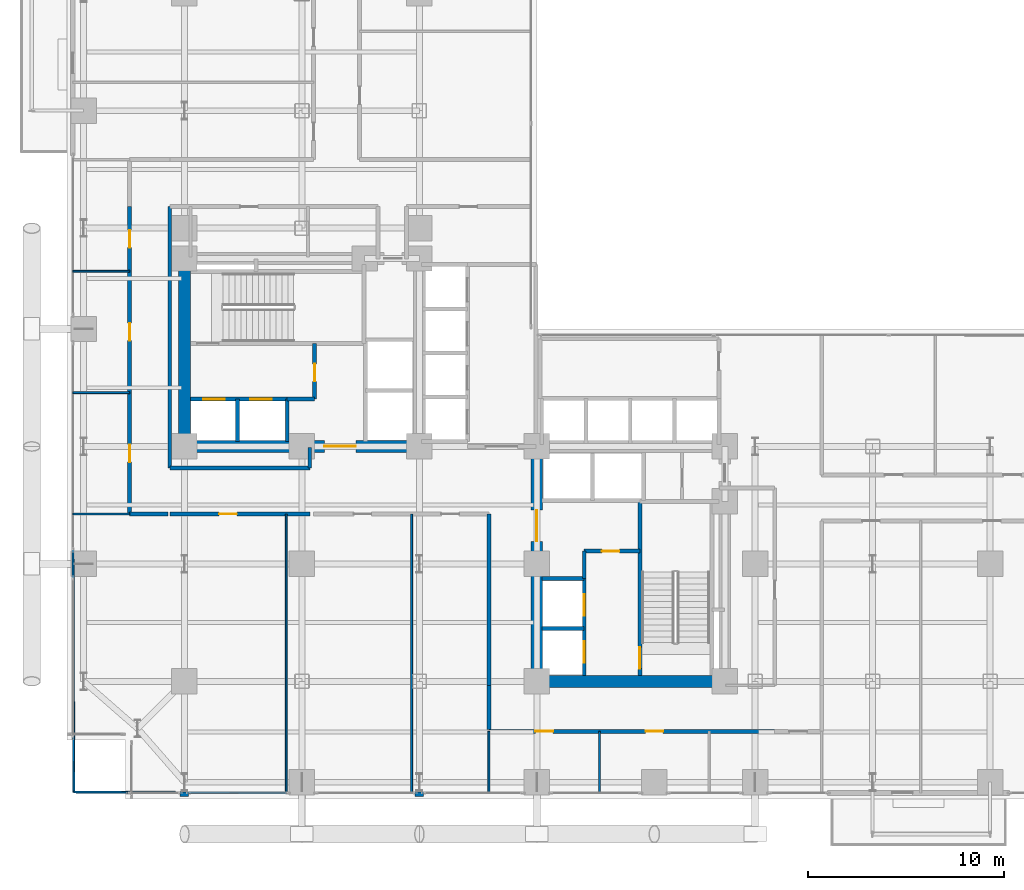
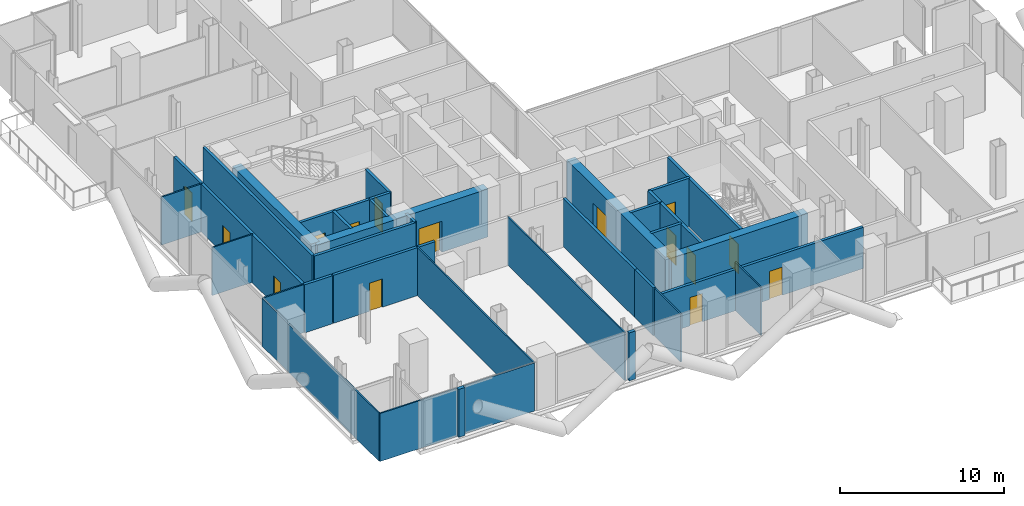
# One storey, part 21 of 27: 36 walls, 15 doors, 15 openings.
"""IFC4 building model written with IfcOpenShell, lengths in metres."""

from ifc_helpers import new_model, si_unit, direction, frame, frame_2d, origin, place, context, subcontext, project, spatial, rectangle, extrude, material, layer, layer_set, type_object, element, fill, save


model = new_model("IFC4")

# Units and contexts
model_context = context("Model", 3, precision=1e-05, world=origin(), true_north=direction((0.0, 1.0)))
body_context = subcontext(model_context, "Body", "Model", "MODEL_VIEW")
ifc_project = project(units=[si_unit("LENGTHUNIT", "METRE"), si_unit("AREAUNIT", "SQUARE_METRE"), si_unit("VOLUMEUNIT", "CUBIC_METRE"), si_unit("PLANEANGLEUNIT", "RADIAN"), si_unit("MASSUNIT", "GRAM", prefix="KILO"), si_unit("THERMODYNAMICTEMPERATUREUNIT", "KELVIN"), si_unit("POWERUNIT", "WATT")], contexts=[model_context])

# Site, building, storey
site_placement = place(None, origin())
site = spatial("IfcSite", under=ifc_project, at=site_placement, CompositionType="ELEMENT")
building_placement = place(site_placement, origin())
building = spatial("IfcBuilding", under=site, at=building_placement, Name="Svarakhadi Broadcast Tower", CompositionType="ELEMENT")
storey_placement = place(building_placement, frame((0.0, 0.0, 90.89990234375)))
storey = spatial("IfcBuildingStorey", under=building, at=storey_placement, Name="L21", CompositionType="ELEMENT", Elevation=90.89990234375)

# Walls
ifc_material_1 = material(Name="Concrete C40/50 (IS 456 M50)", Category="concrete")
ifc_layer_1 = layer(ifc_material_1, 0.239990234375)
ifc_layer_set_1 = layer_set([ifc_layer_1], Name="Concrete C40/50 (IS 456 M50)")
wall_type_1 = type_object("IfcWallType", Name="Wall_Ext_240", PredefinedType="SOLIDWALL", material=ifc_layer_set_1)
for number, where, z_axis, x_axis, name in (
    (1, (18.215087890625, 0.239990234375, 0.0), (0.0, 0.0, 1.0), (-1.0, 0.0, 0.0), "L21 Perimeter Bronze Spandrel Closure Wall 05"),
    (2, (6.215087890625, 0.239990234375, 0.0), (0.0, 0.0, 1.0), (-1.0, 0.0, 0.0), "L21 Perimeter Bronze Spandrel Closure Wall 06"),
):
    element("IfcWall", number, at=place(storey_placement, frame(where, z_axis=z_axis, x_axis=x_axis)), inside=storey, type_object=wall_type_1, Name=name, PredefinedType="SOLIDWALL", context=body_context, shape_type="SweptSolid", body=[
        extrude(rectangle(XDim=0.43017578125, YDim=0.239990234375, at=frame_2d((0.215087890625, 0.0))), origin(), (0.0, 0.0, 1.0), 3.5751953125),
    ])

# Wall, openings, doors
ifc_layer_2 = layer(ifc_material_1, 0.199951171875)
ifc_layer_set_2 = layer_set([ifc_layer_2], Name="Concrete C40/50 (IS 456 M50)")
wall_type_2 = type_object("IfcWallType", Name="Wall_Fire_200", PredefinedType="SOLIDWALL", material=ifc_layer_set_2)
wall_1_placement = place(storey_placement, frame((36.14990234375, 3.449951171875, 0.0), z_axis=(0.0, 0.0, 1.0), x_axis=(-1.0, 0.0, 0.0)))
wall_1 = element("IfcWall", 3, at=wall_1_placement, inside=storey, type_object=wall_type_2, Name="L21 Broadcast Corridor Wall", PredefinedType="SOLIDWALL", context=body_context, shape_type="SweptSolid", body=[
    extrude(rectangle(XDim=14.599853515625, YDim=0.199951171875, at=frame_2d((7.2998046875, 0.0))), origin(), (0.0, 0.0, 1.0), 3.067138671875),
])
opening_1_placement = place(wall_1_placement, frame((11.324951171875, 0.0, 0.0)))
opening_1 = element("IfcOpeningElement", 4, at=opening_1_placement, cuts=wall_1, Name="Opening D-14", PredefinedType="OPENING", context=body_context, shape_type="SweptSolid", body=[
    extrude(rectangle(XDim=0.89990234375, YDim=2.10009765625, at=frame_2d((0.449951171875, 1.050048828125))), frame((0.0, 0.10986328125, 0.0), z_axis=(0.0, -1.0, 0.0), x_axis=(1.0, 0.0, 0.0)), (0.0, 0.0, 1.0), 0.219970703125),
])
opening_2_placement = place(wall_1_placement, frame((5.699951171875, 0.0, 0.0)))
opening_2 = element("IfcOpeningElement", 5, at=opening_2_placement, cuts=wall_1, Name="Opening D-15", PredefinedType="OPENING", context=body_context, shape_type="SweptSolid", body=[
    extrude(rectangle(XDim=0.89990234375, YDim=2.10009765625, at=frame_2d((0.449951171875, 1.050048828125))), frame((0.0, 0.10986328125, 0.0), z_axis=(0.0, -1.0, 0.0), x_axis=(1.0, 0.0, 0.0)), (0.0, 0.0, 1.0), 0.219970703125),
])
ifc_material_2 = material(Name="Solid-Core Teak Veneer Acoustic Timber Leaf", Category="wood")
door_type_1 = type_object("IfcDoorType", Name="Door_Int_D14", OperationType="SINGLE_SWING_LEFT", PredefinedType="DOOR", material=ifc_material_2)
door_1_placement = place(opening_1_placement, origin())
door_1 = element("IfcDoor", 6, at=door_1_placement, inside=storey, type_object=door_type_1, Name="L21 South Harbour Editorial Desk Door", OperationType="SINGLE_SWING_LEFT", OverallHeight=2.10009765625, OverallWidth=0.89990234375, PredefinedType="DOOR", context=body_context, shape_type="SweptSolid", body=[
    extrude(rectangle(XDim=0.89990234375, YDim=2.10009765625, at=frame_2d((0.449951171875, 1.050048828125))), frame((0.0, 0.02490234375, 0.0), z_axis=(0.0, -1.0, 0.0), x_axis=(1.0, 0.0, 0.0)), (0.0, 0.0, 1.0), 0.050048828125),
])
fill(opening_1, door_1)
door_type_2 = type_object("IfcDoorType", Name="Door_Int_D15", OperationType="SINGLE_SWING_RIGHT", PredefinedType="DOOR", material=ifc_material_2)
door_2_placement = place(opening_2_placement, origin())
door_2 = element("IfcDoor", 7, at=door_2_placement, inside=storey, type_object=door_type_2, Name="L21 Media Legal Review Office Door", OperationType="SINGLE_SWING_RIGHT", OverallHeight=2.10009765625, OverallWidth=0.89990234375, PredefinedType="DOOR", context=body_context, shape_type="SweptSolid", body=[
    extrude(rectangle(XDim=0.89990234375, YDim=2.10009765625, at=frame_2d((0.449951171875, 1.050048828125))), frame((0.0, 0.02490234375, 0.0), z_axis=(0.0, -1.0, 0.0), x_axis=(1.0, 0.0, 0.0)), (0.0, 0.0, 1.0), 0.050048828125),
])
fill(opening_2, door_2)

# Walls
wall_2_placement = place(storey_placement, frame((21.550048828125, 3.550048828125, 0.0), z_axis=(0.0, 0.0, 1.0), x_axis=(0.0, 1.0, 0.0)))
element("IfcWall", 8, at=wall_2_placement, inside=storey, type_object=wall_type_2, Name="L21 Broadcast Corridor Wall", PredefinedType="SOLIDWALL", context=body_context, shape_type="SweptSolid", body=[
    extrude(rectangle(XDim=2.25, YDim=0.199951171875, at=frame_2d((1.125, 0.0))), origin(), (0.0, 0.0, 1.0), 3.5751953125),
])
wall_3_placement = place(storey_placement, frame((21.550048828125, 5.800048828125, 0.0), z_axis=(0.0, 0.0, 1.0), x_axis=(0.0, 1.0, 0.0)))
element("IfcWall", 9, at=wall_3_placement, inside=storey, type_object=wall_type_2, Name="L21 Broadcast Corridor Wall", PredefinedType="SOLIDWALL", context=body_context, shape_type="SweptSolid", body=[
    extrude(rectangle(XDim=8.75, YDim=0.199951171875, at=frame_2d((4.375, 0.0))), origin(), (0.0, 0.0, 1.0), 3.5751953125),
])

# Wall, opening, door
wall_4_placement = place(storey_placement, frame((12.39990234375, 14.550048828125, 0.0), z_axis=(0.0, 0.0, 1.0), x_axis=(-1.0, 0.0, 0.0)))
wall_4 = element("IfcWall", 10, at=wall_4_placement, inside=storey, type_object=wall_type_2, Name="L21 Broadcast Corridor Wall", PredefinedType="SOLIDWALL", context=body_context, shape_type="SweptSolid", body=[
    extrude(rectangle(XDim=7.14990234375, YDim=0.199951171875, at=frame_2d((3.574951171875, 0.0))), origin(), (0.0, 0.0, 1.0), 3.5751953125),
])
opening_3_placement = place(wall_4_placement, frame((3.72509765625, 0.0, 0.0)))
opening_3 = element("IfcOpeningElement", 11, at=opening_3_placement, cuts=wall_4, Name="Opening D-14", PredefinedType="OPENING", context=body_context, shape_type="SweptSolid", body=[
    extrude(rectangle(XDim=0.89990234375, YDim=2.10009765625, at=frame_2d((0.449951171875, 1.050048828125))), frame((0.0, 0.10986328125, 0.0), z_axis=(0.0, -1.0, 0.0), x_axis=(1.0, 0.0, 0.0)), (0.0, 0.0, 1.0), 0.219970703125),
])
door_3_placement = place(opening_3_placement, origin())
door_3 = element("IfcDoor", 12, at=door_3_placement, inside=storey, type_object=door_type_1, Name="L21 Network Director Corner Chambers Door", OperationType="SINGLE_SWING_LEFT", OverallHeight=2.10009765625, OverallWidth=0.89990234375, PredefinedType="DOOR", context=body_context, shape_type="SweptSolid", body=[
    extrude(rectangle(XDim=0.89990234375, YDim=2.10009765625, at=frame_2d((0.449951171875, 1.050048828125))), frame((0.0, 0.02490234375, 0.0), z_axis=(0.0, -1.0, 0.0), x_axis=(1.0, 0.0, 0.0)), (0.0, 0.0, 1.0), 0.050048828125),
])
fill(opening_3, door_3)

# Wall
wall_5_placement = place(storey_placement, frame((5.14990234375, 14.550048828125, 0.0), z_axis=(0.0, 0.0, 1.0), x_axis=(-1.0, 0.0, 0.0)))
element("IfcWall", 13, at=wall_5_placement, inside=storey, type_object=wall_type_2, Name="L21 Broadcast Corridor Wall", PredefinedType="SOLIDWALL", context=body_context, shape_type="SweptSolid", body=[
    extrude(rectangle(XDim=1.949951171875, YDim=0.199951171875, at=frame_2d((0.97509765625, 0.0))), origin(), (0.0, 0.0, 1.0), 3.5751953125),
])

# Wall, openings, doors
wall_6_placement = place(storey_placement, frame((3.199951171875, 14.550048828125, 0.0), z_axis=(0.0, 0.0, 1.0), x_axis=(0.0, 1.0, 0.0)))
wall_6 = element("IfcWall", 14, at=wall_6_placement, inside=storey, type_object=wall_type_2, Name="L21 Broadcast Corridor Wall", PredefinedType="SOLIDWALL", context=body_context, shape_type="SweptSolid", body=[
    extrude(rectangle(XDim=15.699951171875, YDim=0.199951171875, at=frame_2d((7.85009765625, 0.0))), origin(), (0.0, 0.0, 1.0), 3.5751953125),
])
opening_4_placement = place(wall_6_placement, frame((2.64990234375, 0.0, 0.0)))
opening_4 = element("IfcOpeningElement", 15, at=opening_4_placement, cuts=wall_6, Name="Opening D-15", PredefinedType="OPENING", context=body_context, shape_type="SweptSolid", body=[
    extrude(rectangle(XDim=0.89990234375, YDim=2.10009765625, at=frame_2d((0.449951171875, 1.050048828125))), frame((0.0, 0.10986328125, 0.0), z_axis=(0.0, -1.0, 0.0), x_axis=(1.0, 0.0, 0.0)), (0.0, 0.0, 1.0), 0.219970703125),
])
opening_5_placement = place(wall_6_placement, frame((8.85009765625, 0.0, 0.0)))
opening_5 = element("IfcOpeningElement", 16, at=opening_5_placement, cuts=wall_6, Name="Opening D-14", PredefinedType="OPENING", context=body_context, shape_type="SweptSolid", body=[
    extrude(rectangle(XDim=0.89990234375, YDim=2.10009765625, at=frame_2d((0.449951171875, 1.050048828125))), frame((0.0, 0.10986328125, 0.0), z_axis=(0.0, -1.0, 0.0), x_axis=(1.0, 0.0, 0.0)), (0.0, 0.0, 1.0), 0.219970703125),
])
opening_6_placement = place(wall_6_placement, frame((13.60009765625, 0.0, 0.0)))
opening_6 = element("IfcOpeningElement", 17, at=opening_6_placement, cuts=wall_6, Name="Opening D-15", PredefinedType="OPENING", context=body_context, shape_type="SweptSolid", body=[
    extrude(rectangle(XDim=0.89990234375, YDim=2.10009765625, at=frame_2d((0.449951171875, 1.050048828125))), frame((0.0, 0.10986328125, 0.0), z_axis=(0.0, -1.0, 0.0), x_axis=(1.0, 0.0, 0.0)), (0.0, 0.0, 1.0), 0.219970703125),
])
door_4_placement = place(opening_5_placement, origin())
door_4 = element("IfcDoor", 18, at=door_4_placement, inside=storey, type_object=door_type_1, Name="L21 Live Translation Studio Door", OperationType="SINGLE_SWING_LEFT", OverallHeight=2.10009765625, OverallWidth=0.89990234375, PredefinedType="DOOR", context=body_context, shape_type="SweptSolid", body=[
    extrude(rectangle(XDim=0.89990234375, YDim=2.10009765625, at=frame_2d((0.449951171875, 1.050048828125))), frame((0.0, 0.02490234375, 0.0), z_axis=(0.0, -1.0, 0.0), x_axis=(1.0, 0.0, 0.0)), (0.0, 0.0, 1.0), 0.050048828125),
])
fill(opening_5, door_4)
door_5_placement = place(opening_4_placement, origin())
door_5 = element("IfcDoor", 19, at=door_5_placement, inside=storey, type_object=door_type_2, Name="L21 Arabian Sea Commentary Booth Door", OperationType="SINGLE_SWING_RIGHT", OverallHeight=2.10009765625, OverallWidth=0.89990234375, PredefinedType="DOOR", context=body_context, shape_type="SweptSolid", body=[
    extrude(rectangle(XDim=0.89990234375, YDim=2.10009765625, at=frame_2d((0.449951171875, 1.050048828125))), frame((0.0, 0.02490234375, 0.0), z_axis=(0.0, -1.0, 0.0), x_axis=(1.0, 0.0, 0.0)), (0.0, 0.0, 1.0), 0.050048828125),
])
fill(opening_4, door_5)
door_6_placement = place(opening_6_placement, origin())
door_6 = element("IfcDoor", 20, at=door_6_placement, inside=storey, type_object=door_type_2, Name="L21 Producer Quiet Lounge Door", OperationType="SINGLE_SWING_RIGHT", OverallHeight=2.10009765625, OverallWidth=0.89990234375, PredefinedType="DOOR", context=body_context, shape_type="SweptSolid", body=[
    extrude(rectangle(XDim=0.89990234375, YDim=2.10009765625, at=frame_2d((0.449951171875, 1.050048828125))), frame((0.0, 0.02490234375, 0.0), z_axis=(0.0, -1.0, 0.0), x_axis=(1.0, 0.0, 0.0)), (0.0, 0.0, 1.0), 0.050048828125),
])
fill(opening_6, door_6)

# Walls
wall_7_placement = place(storey_placement, frame((5.25, 30.25, 0.0), z_axis=(0.0, 0.0, 1.0), x_axis=(0.0, -1.0, 0.0)))
element("IfcWall", 21, at=wall_7_placement, inside=storey, type_object=wall_type_2, Name="L21 Broadcast Corridor Wall", PredefinedType="SOLIDWALL", context=body_context, shape_type="SweptSolid", body=[
    extrude(rectangle(XDim=13.35009765625, YDim=0.199951171875, at=frame_2d((6.675048828125, 0.0))), origin(), (0.0, 0.0, 1.0), 3.5751953125),
])
wall_8_placement = place(storey_placement, frame((5.25, 16.89990234375, 0.0), z_axis=(0.0, 0.0, 1.0), x_axis=(1.0, 0.0, 0.0)))
element("IfcWall", 22, at=wall_8_placement, inside=storey, type_object=wall_type_2, Name="L21 Broadcast Corridor Wall", PredefinedType="SOLIDWALL", context=body_context, shape_type="SweptSolid", body=[
    extrude(rectangle(XDim=7.14990234375, YDim=0.199951171875, at=frame_2d((3.574951171875, 0.0))), origin(), (0.0, 0.0, 1.0), 3.5751953125),
])
wall_9_placement = place(storey_placement, frame((12.39990234375, 16.89990234375, 0.0), z_axis=(0.0, 0.0, 1.0), x_axis=(0.0, 1.0, 0.0)))
element("IfcWall", 23, at=wall_9_placement, inside=storey, type_object=wall_type_2, Name="L21 Broadcast Corridor Wall", PredefinedType="SOLIDWALL", context=body_context, shape_type="SweptSolid", body=[
    extrude(rectangle(XDim=1.050048828125, YDim=0.199951171875, at=frame_2d((0.52490234375, 0.0))), origin(), (0.0, 0.0, 1.0), 3.5751953125),
])
ifc_material_3 = material(Name="Fire-Rated Moisture-Resistant Gypsum Board Partition", Category="gypsum")
ifc_layer_3 = layer(ifc_material_3, 0.10009765625)
ifc_layer_set_3 = layer_set([ifc_layer_3], Name="Fire-Rated Moisture-Resistant Gypsum Board Partition")
wall_type_3 = type_object("IfcWallType", Name="Wall_Part_100", PredefinedType="PARTITIONING", material=ifc_layer_set_3)
wall_10_placement = place(storey_placement, frame((0.35009765625, 0.35009765625, 0.0), z_axis=(0.0, 0.0, 1.0), x_axis=(0.99998929595, -0.004626876487, 0.0)))
element("IfcWall", 24, at=wall_10_placement, inside=storey, type_object=wall_type_3, Name="L21 Network Director Corner Chambers Wall", PredefinedType="PARTITIONING", context=body_context, shape_type="SweptSolid", body=[
    extrude(rectangle(XDim=5.434814453125, YDim=0.10009765625, at=frame_2d((2.71728515625, 0.0))), origin(), (0.0, 0.0, 1.0), 3.5751953125),
])
wall_11_placement = place(storey_placement, frame((6.215087890625, 0.322998046875, 0.0), z_axis=(0.0, 0.0, 1.0), x_axis=(0.999989402769, -0.00460373219, 0.0)))
element("IfcWall", 25, at=wall_11_placement, inside=storey, type_object=wall_type_3, Name="L21 Network Director Corner Chambers Wall", PredefinedType="PARTITIONING", context=body_context, shape_type="SweptSolid", body=[
    extrude(rectangle(XDim=4.98486328125, YDim=0.10009765625, at=frame_2d((2.492431640625, 0.0))), origin(), (0.0, 0.0, 1.0), 3.5751953125),
])
wall_12_placement = place(storey_placement, frame((0.35009765625, 0.35009765625, 0.0), z_axis=(0.0, 0.0, 1.0), x_axis=(-0.003524555588, 0.999993788735, 0.0)))
element("IfcWall", 26, at=wall_12_placement, inside=storey, type_object=wall_type_3, Name="L21 Network Director Corner Chambers Wall", PredefinedType="PARTITIONING", context=body_context, shape_type="SweptSolid", body=[
    extrude(rectangle(XDim=14.199951171875, YDim=0.10009765625, at=frame_2d((7.10009765625, 0.0))), origin(), (0.0, 0.0, 1.0), 3.5751953125),
])
for number, where, z_axis, x_axis, name in (
    (27, (11.199951171875, 0.300048828125, 0.0), (0.0, 0.0, 1.0), (0.0, 1.0, 0.0), "L21 Network Director Corner Chambers Wall"),
    (28, (17.60009765625, 0.300048828125, 0.0), (0.0, 0.0, 1.0), (0.0, 1.0, 0.0), "L21 Standards and Practices Boardroom Wall"),
):
    element("IfcWall", number, at=place(storey_placement, frame(where, z_axis=z_axis, x_axis=x_axis)), inside=storey, type_object=wall_type_3, Name=name, PredefinedType="PARTITIONING", context=body_context, shape_type="SweptSolid", body=[
        extrude(rectangle(XDim=14.25, YDim=0.10009765625, at=frame_2d((7.125, 0.0))), origin(), (0.0, 0.0, 1.0), 3.5751953125),
    ])
for number, where, z_axis, x_axis, name in (
    (29, (0.300048828125, 14.550048828125, 0.0), (0.0, 0.0, 1.0), (1.0, 0.0, 0.0), "L21 Arabian Sea Commentary Booth Wall"),
    (30, (0.300048828125, 20.75, 0.0), (0.0, 0.0, 1.0), (1.0, 0.0, 0.0), "L21 Arabian Sea Commentary Booth Wall"),
    (31, (0.300048828125, 26.949951171875, 0.0), (0.0, 0.0, 1.0), (1.0, 0.0, 0.0), "L21 Live Translation Studio Wall"),
):
    element("IfcWall", number, at=place(storey_placement, frame(where, z_axis=z_axis, x_axis=x_axis)), inside=storey, type_object=wall_type_3, Name=name, PredefinedType="PARTITIONING", context=body_context, shape_type="SweptSolid", body=[
        extrude(rectangle(XDim=2.89990234375, YDim=0.10009765625, at=frame_2d((1.449951171875, 0.0))), origin(), (0.0, 0.0, 1.0), 3.5751953125),
    ])
for number, where, z_axis, x_axis, name in (
    (32, (21.550048828125, 0.300048828125, 0.0), (0.0, 0.0, 1.0), (0.0, 1.0, 0.0), "L21 South Harbour Editorial Desk Wall"),
    (33, (27.199951171875, 0.300048828125, 0.0), (0.0, 0.0, 1.0), (0.0, 1.0, 0.0), "L21 South Harbour Editorial Desk Wall"),
):
    element("IfcWall", number, at=place(storey_placement, frame(where, z_axis=z_axis, x_axis=x_axis)), inside=storey, type_object=wall_type_3, Name=name, PredefinedType="PARTITIONING", context=body_context, shape_type="SweptSolid", body=[
        extrude(rectangle(XDim=3.14990234375, YDim=0.10009765625, at=frame_2d((1.574951171875, 0.0))), origin(), (0.0, 0.0, 1.0), 3.5751953125),
    ])

# Wall, opening, door
ifc_material_4 = material(Name="Concrete C50/60 (IS 456 M60)", Category="concrete")
ifc_layer_4 = layer(ifc_material_4, 0.199951171875)
ifc_layer_set_4 = layer_set([ifc_layer_4], Name="Concrete C50/60 (IS 456 M60)")
wall_type_4 = type_object("IfcWallType", Name="Wall_Shear_200", PredefinedType="SHEAR", material=ifc_layer_set_4)
wall_13_placement = place(storey_placement, frame((29.260009765625, 6.300048828125, 0.0), z_axis=(0.0, 0.0, 1.0), x_axis=(0.0, 1.0, 0.0)))
wall_13 = element("IfcWall", 34, at=wall_13_placement, inside=storey, type_object=wall_type_4, Name="L21 Stair ST-02 West RC Shaft Wall", PredefinedType="SHEAR", context=body_context, shape_type="SweptSolid", body=[
    extrude(rectangle(XDim=8.8798828125, YDim=0.199951171875, at=frame_2d((4.43994140625, 0.0))), origin(), (0.0, 0.0, 1.0), 3.5751953125),
])
opening_7_placement = place(wall_13_placement, frame((0.35009765625, 0.0, 0.0)))
opening_7 = element("IfcOpeningElement", 35, at=opening_7_placement, cuts=wall_13, Name="Opening D-02", PredefinedType="OPENING", context=body_context, shape_type="SweptSolid", body=[
    extrude(rectangle(XDim=1.10009765625, YDim=2.199951171875, at=frame_2d((0.550048828125, 1.10009765625))), frame((0.0, 0.10986328125, 0.0), z_axis=(0.0, -1.0, 0.0), x_axis=(1.0, 0.0, 0.0)), (0.0, 0.0, 1.0), 0.219970703125),
])
ifc_material_5 = material(Name="Galvanised Powder-Coated Fire-Rated Steel Leaf", Category="steel")
door_type_3 = type_object("IfcDoorType", Name="Door_Stair_D02", OperationType="SINGLE_SWING_RIGHT", PredefinedType="DOOR", material=ifc_material_5)
door_7_placement = place(opening_7_placement, origin())
door_7 = element("IfcDoor", 36, at=door_7_placement, inside=storey, type_object=door_type_3, Name="L21 Protected Exit Stair ST-02 Fire Door", OperationType="SINGLE_SWING_RIGHT", OverallHeight=2.199951171875, OverallWidth=1.10009765625, PredefinedType="DOOR", context=body_context, shape_type="SweptSolid", body=[
    extrude(rectangle(XDim=1.10009765625, YDim=2.199951171875, at=frame_2d((0.550048828125, 1.10009765625))), frame((0.0, 0.02490234375, 0.0), z_axis=(0.0, -1.0, 0.0), x_axis=(1.0, 0.0, 0.0)), (0.0, 0.0, 1.0), 0.050048828125),
])
fill(opening_7, door_7)

# Wall, openings, doors
wall_14_placement = place(storey_placement, frame((6.300048828125, 20.419921875, 0.0), z_axis=(0.0, 0.0, 1.0), x_axis=(1.0, 0.0, 0.0)))
wall_14 = element("IfcWall", 37, at=wall_14_placement, inside=storey, type_object=wall_type_4, Name="L21 Firefighting Lift LF-01/02 Shaft Wall", PredefinedType="SHEAR", context=body_context, shape_type="SweptSolid", body=[
    extrude(rectangle(XDim=4.949951171875, YDim=0.199951171875, at=frame_2d((2.47509765625, 0.0))), origin(), (0.0, 0.0, 1.0), 3.5751953125),
])
opening_8_placement = place(wall_14_placement, frame((0.64990234375, 0.0, 0.0)))
opening_8 = element("IfcOpeningElement", 38, at=opening_8_placement, cuts=wall_14, Name="Opening LD-01", PredefinedType="OPENING", context=body_context, shape_type="SweptSolid", body=[
    extrude(rectangle(XDim=1.10009765625, YDim=2.199951171875, at=frame_2d((0.550048828125, 1.10009765625))), frame((0.0, 0.10986328125, 0.0), z_axis=(0.0, -1.0, 0.0), x_axis=(1.0, 0.0, 0.0)), (0.0, 0.0, 1.0), 0.219970703125),
])
opening_9_placement = place(wall_14_placement, frame((3.050048828125, 0.0, 0.0)))
opening_9 = element("IfcOpeningElement", 39, at=opening_9_placement, cuts=wall_14, Name="Opening LD-01", PredefinedType="OPENING", context=body_context, shape_type="SweptSolid", body=[
    extrude(rectangle(XDim=1.10009765625, YDim=2.199951171875, at=frame_2d((0.550048828125, 1.10009765625))), frame((0.0, 0.10986328125, 0.0), z_axis=(0.0, -1.0, 0.0), x_axis=(1.0, 0.0, 0.0)), (0.0, 0.0, 1.0), 0.219970703125),
])
door_type_4 = type_object("IfcDoorType", Name="Door_Lift_LD01", OperationType="SLIDING_TO_LEFT", PredefinedType="DOOR", material=ifc_material_5)
door_8_placement = place(opening_8_placement, origin())
door_8 = element("IfcDoor", 40, at=door_8_placement, inside=storey, type_object=door_type_4, Name="L21 Firefighting Lift LF-01 Landing Door", OperationType="SLIDING_TO_LEFT", OverallHeight=2.199951171875, OverallWidth=1.10009765625, PredefinedType="DOOR", context=body_context, shape_type="SweptSolid", body=[
    extrude(rectangle(XDim=1.10009765625, YDim=2.199951171875, at=frame_2d((0.550048828125, 1.10009765625))), frame((0.0, 0.02490234375, 0.0), z_axis=(0.0, -1.0, 0.0), x_axis=(1.0, 0.0, 0.0)), (0.0, 0.0, 1.0), 0.050048828125),
])
fill(opening_8, door_8)
door_9_placement = place(opening_9_placement, origin())
door_9 = element("IfcDoor", 41, at=door_9_placement, inside=storey, type_object=door_type_4, Name="L21 Firefighting Lift LF-02 Landing Door", OperationType="SLIDING_TO_LEFT", OverallHeight=2.199951171875, OverallWidth=1.10009765625, PredefinedType="DOOR", context=body_context, shape_type="SweptSolid", body=[
    extrude(rectangle(XDim=1.10009765625, YDim=2.199951171875, at=frame_2d((0.550048828125, 1.10009765625))), frame((0.0, 0.02490234375, 0.0), z_axis=(0.0, -1.0, 0.0), x_axis=(1.0, 0.0, 0.0)), (0.0, 0.0, 1.0), 0.050048828125),
])
fill(opening_9, door_9)

# Walls
for number, where, z_axis, x_axis, name in (
    (42, (8.699951171875, 18.25, 0.0), (0.0, 0.0, 1.0), (0.0, 1.0, 0.0), "L21 Firefighting Lift LF-01/02 Divider Wall"),
    (43, (11.25, 18.25, 0.0), (0.0, 0.0, 1.0), (0.0, 1.0, 0.0), "L21 Firefighting Lift LF-02 East Wall"),
):
    element("IfcWall", number, at=place(storey_placement, frame(where, z_axis=z_axis, x_axis=x_axis)), inside=storey, type_object=wall_type_4, Name=name, PredefinedType="SHEAR", context=body_context, shape_type="SweptSolid", body=[
        extrude(rectangle(XDim=2.169921875, YDim=0.199951171875, at=frame_2d((1.0849609375, 0.0))), origin(), (0.0, 0.0, 1.0), 3.5751953125),
    ])
wall_15_placement = place(storey_placement, frame((11.25, 20.419921875, 0.0), z_axis=(0.0, 0.0, 1.0), x_axis=(1.0, 0.0, 0.0)))
element("IfcWall", 44, at=wall_15_placement, inside=storey, type_object=wall_type_4, Name="L21 West Firefighting Lobby South Wall", PredefinedType="SHEAR", context=body_context, shape_type="SweptSolid", body=[
    extrude(rectangle(XDim=1.39990234375, YDim=0.199951171875, at=frame_2d((0.699951171875, 0.0))), origin(), (0.0, 0.0, 1.0), 3.5751953125),
])

# Wall, opening, door
wall_16_placement = place(storey_placement, frame((12.64990234375, 20.419921875, 0.0), z_axis=(0.0, 0.0, 1.0), x_axis=(0.0, 1.0, 0.0)))
wall_16 = element("IfcWall", 45, at=wall_16_placement, inside=storey, type_object=wall_type_4, Name="L21 West Firefighting Lobby East Wall", PredefinedType="SHEAR", context=body_context, shape_type="SweptSolid", body=[
    extrude(rectangle(XDim=2.840087890625, YDim=0.199951171875, at=frame_2d((1.419921875, 0.0))), origin(), (0.0, 0.0, 1.0), 3.5751953125),
])
opening_10_placement = place(wall_16_placement, frame((0.89990234375, 0.0, 0.0)))
opening_10 = element("IfcOpeningElement", 46, at=opening_10_placement, cuts=wall_16, Name="Opening D-04", PredefinedType="OPENING", context=body_context, shape_type="SweptSolid", body=[
    extrude(rectangle(XDim=0.89990234375, YDim=2.14990234375, at=frame_2d((0.449951171875, 1.074951171875))), frame((0.0, 0.10986328125, 0.0), z_axis=(0.0, -1.0, 0.0), x_axis=(1.0, 0.0, 0.0)), (0.0, 0.0, 1.0), 0.219970703125),
])
door_type_5 = type_object("IfcDoorType", Name="Door_Fire_D04", OperationType="SINGLE_SWING_RIGHT", PredefinedType="DOOR", material=ifc_material_5)
door_10_placement = place(opening_10_placement, origin())
door_10 = element("IfcDoor", 47, at=door_10_placement, inside=storey, type_object=door_type_5, Name="L21 West Firefighting Lobby Fire Door", OperationType="SINGLE_SWING_RIGHT", OverallHeight=2.14990234375, OverallWidth=0.89990234375, PredefinedType="DOOR", context=body_context, shape_type="SweptSolid", body=[
    extrude(rectangle(XDim=0.89990234375, YDim=2.14990234375, at=frame_2d((0.449951171875, 1.074951171875))), frame((0.0, 0.02490234375, 0.0), z_axis=(0.0, -1.0, 0.0), x_axis=(1.0, 0.0, 0.0)), (0.0, 0.0, 1.0), 0.050048828125),
])
fill(opening_10, door_10)

# Wall, openings, doors
wall_17_placement = place(storey_placement, frame((26.419921875, 6.300048828125, 0.0), z_axis=(0.0, 0.0, 1.0), x_axis=(0.0, 1.0, 0.0)))
wall_17 = element("IfcWall", 48, at=wall_17_placement, inside=storey, type_object=wall_type_4, Name="L21 Firefighting Lift LF-03/04 Shaft Wall", PredefinedType="SHEAR", context=body_context, shape_type="SweptSolid", body=[
    extrude(rectangle(XDim=4.949951171875, YDim=0.199951171875, at=frame_2d((2.47509765625, 0.0))), origin(), (0.0, 0.0, 1.0), 3.5751953125),
])
opening_11_placement = place(wall_17_placement, frame((0.64990234375, 0.0, 0.0)))
opening_11 = element("IfcOpeningElement", 49, at=opening_11_placement, cuts=wall_17, Name="Opening LD-01", PredefinedType="OPENING", context=body_context, shape_type="SweptSolid", body=[
    extrude(rectangle(XDim=1.10009765625, YDim=2.199951171875, at=frame_2d((0.550048828125, 1.10009765625))), frame((0.0, 0.10986328125, 0.0), z_axis=(0.0, -1.0, 0.0), x_axis=(1.0, 0.0, 0.0)), (0.0, 0.0, 1.0), 0.219970703125),
])
opening_12_placement = place(wall_17_placement, frame((3.050048828125, 0.0, 0.0)))
opening_12 = element("IfcOpeningElement", 50, at=opening_12_placement, cuts=wall_17, Name="Opening LD-01", PredefinedType="OPENING", context=body_context, shape_type="SweptSolid", body=[
    extrude(rectangle(XDim=1.10009765625, YDim=2.199951171875, at=frame_2d((0.550048828125, 1.10009765625))), frame((0.0, 0.10986328125, 0.0), z_axis=(0.0, -1.0, 0.0), x_axis=(1.0, 0.0, 0.0)), (0.0, 0.0, 1.0), 0.219970703125),
])
door_11_placement = place(opening_11_placement, origin())
door_11 = element("IfcDoor", 51, at=door_11_placement, inside=storey, type_object=door_type_4, Name="L21 Firefighting Lift LF-03 Landing Door", OperationType="SLIDING_TO_LEFT", OverallHeight=2.199951171875, OverallWidth=1.10009765625, PredefinedType="DOOR", context=body_context, shape_type="SweptSolid", body=[
    extrude(rectangle(XDim=1.10009765625, YDim=2.199951171875, at=frame_2d((0.550048828125, 1.10009765625))), frame((0.0, 0.02490234375, 0.0), z_axis=(0.0, -1.0, 0.0), x_axis=(1.0, 0.0, 0.0)), (0.0, 0.0, 1.0), 0.050048828125),
])
fill(opening_11, door_11)
door_12_placement = place(opening_12_placement, origin())
door_12 = element("IfcDoor", 52, at=door_12_placement, inside=storey, type_object=door_type_4, Name="L21 Firefighting Lift LF-04 Landing Door", OperationType="SLIDING_TO_LEFT", OverallHeight=2.199951171875, OverallWidth=1.10009765625, PredefinedType="DOOR", context=body_context, shape_type="SweptSolid", body=[
    extrude(rectangle(XDim=1.10009765625, YDim=2.199951171875, at=frame_2d((0.550048828125, 1.10009765625))), frame((0.0, 0.02490234375, 0.0), z_axis=(0.0, -1.0, 0.0), x_axis=(1.0, 0.0, 0.0)), (0.0, 0.0, 1.0), 0.050048828125),
])
fill(opening_12, door_12)

# Walls
for number, where, z_axis, x_axis, name in (
    (53, (24.25, 8.699951171875, 0.0), (0.0, 0.0, 1.0), (1.0, 0.0, 0.0), "L21 Firefighting Lift LF-03/04 Divider Wall"),
    (54, (24.25, 11.25, 0.0), (0.0, 0.0, 1.0), (1.0, 0.0, 0.0), "L21 Firefighting Lift LF-04 North Wall"),
):
    element("IfcWall", number, at=place(storey_placement, frame(where, z_axis=z_axis, x_axis=x_axis)), inside=storey, type_object=wall_type_4, Name=name, PredefinedType="SHEAR", context=body_context, shape_type="SweptSolid", body=[
        extrude(rectangle(XDim=2.169921875, YDim=0.199951171875, at=frame_2d((1.0849609375, 0.0))), origin(), (0.0, 0.0, 1.0), 3.5751953125),
    ])
wall_18_placement = place(storey_placement, frame((26.419921875, 11.25, 0.0), z_axis=(0.0, 0.0, 1.0), x_axis=(0.0, 1.0, 0.0)))
element("IfcWall", 55, at=wall_18_placement, inside=storey, type_object=wall_type_4, Name="L21 East Firefighting Lobby West Wall", PredefinedType="SHEAR", context=body_context, shape_type="SweptSolid", body=[
    extrude(rectangle(XDim=1.39990234375, YDim=0.199951171875, at=frame_2d((0.699951171875, 0.0))), origin(), (0.0, 0.0, 1.0), 3.5751953125),
])

# Wall, opening, door
wall_19_placement = place(storey_placement, frame((26.419921875, 12.64990234375, 0.0), z_axis=(0.0, 0.0, 1.0), x_axis=(1.0, 0.0, 0.0)))
wall_19 = element("IfcWall", 56, at=wall_19_placement, inside=storey, type_object=wall_type_4, Name="L21 East Firefighting Lobby North Wall", PredefinedType="SHEAR", context=body_context, shape_type="SweptSolid", body=[
    extrude(rectangle(XDim=2.840087890625, YDim=0.199951171875, at=frame_2d((1.419921875, 0.0))), origin(), (0.0, 0.0, 1.0), 3.5751953125),
])
opening_13_placement = place(wall_19_placement, frame((0.89990234375, 0.0, 0.0)))
opening_13 = element("IfcOpeningElement", 57, at=opening_13_placement, cuts=wall_19, Name="Opening D-03", PredefinedType="OPENING", context=body_context, shape_type="SweptSolid", body=[
    extrude(rectangle(XDim=0.89990234375, YDim=2.14990234375, at=frame_2d((0.449951171875, 1.074951171875))), frame((0.0, 0.10986328125, 0.0), z_axis=(0.0, -1.0, 0.0), x_axis=(1.0, 0.0, 0.0)), (0.0, 0.0, 1.0), 0.219970703125),
])
door_type_6 = type_object("IfcDoorType", Name="Door_Fire_D03", OperationType="SINGLE_SWING_LEFT", PredefinedType="DOOR", material=ifc_material_5)
door_13_placement = place(opening_13_placement, origin())
door_13 = element("IfcDoor", 58, at=door_13_placement, inside=storey, type_object=door_type_6, Name="L21 East Firefighting Lobby Fire Door", OperationType="SINGLE_SWING_LEFT", OverallHeight=2.14990234375, OverallWidth=0.89990234375, PredefinedType="DOOR", context=body_context, shape_type="SweptSolid", body=[
    extrude(rectangle(XDim=0.89990234375, YDim=2.14990234375, at=frame_2d((0.449951171875, 1.074951171875))), frame((0.0, 0.02490234375, 0.0), z_axis=(0.0, -1.0, 0.0), x_axis=(1.0, 0.0, 0.0)), (0.0, 0.0, 1.0), 0.050048828125),
])
fill(opening_13, door_13)

ifc_material_6 = material(Name="Concrete C60/75 (IS 456 M70)", Category="concrete")
ifc_layer_5 = layer(ifc_material_6, 0.60009765625)
ifc_layer_set_5 = layer_set([ifc_layer_5], Name="Concrete C60/75 (IS 456 M70)")
wall_type_5 = type_object("IfcWallType", Name="Wall_Shear_600", PredefinedType="SHEAR", material=ifc_layer_set_5)
wall_20_placement = place(storey_placement, frame((6.0, 18.0, 0.0), z_axis=(0.0, 0.0, 1.0), x_axis=(1.0, 0.0, 0.0)))
wall_20 = element("IfcWall", 59, at=wall_20_placement, inside=storey, type_object=wall_type_5, Name="L21 West Core South Shear Wall", PredefinedType="SHEAR", context=body_context, shape_type="SweptSolid", body=[
    extrude(rectangle(XDim=12.0, YDim=0.60009765625, at=frame_2d((6.0, 0.0))), origin(), (0.0, 0.0, 1.0), 3.5751953125),
])
opening_14_placement = place(wall_20_placement, frame((7.14990234375, 0.0, 0.0)))
opening_14 = element("IfcOpeningElement", 60, at=opening_14_placement, cuts=wall_20, Name="Opening D-05", PredefinedType="OPENING", context=body_context, shape_type="SweptSolid", body=[
    extrude(rectangle(XDim=1.60009765625, YDim=2.300048828125, at=frame_2d((0.800048828125, 1.14990234375))), frame((0.0, 0.31005859375, 0.0), z_axis=(0.0, -1.0, 0.0), x_axis=(1.0, 0.0, 0.0)), (0.0, 0.0, 1.0), 0.6201171875),
])
ifc_material_7 = material(Name="Anodised Bronze Aluminium AA 6063-T6", Category="aluminium")
door_type_7 = type_object("IfcDoorType", Name="Door_Lobby_D05", OperationType="DOUBLE_DOOR_SLIDING", PredefinedType="DOOR", material=ifc_material_7)
door_14_placement = place(opening_14_placement, origin())
door_14 = element("IfcDoor", 61, at=door_14_placement, inside=storey, type_object=door_type_7, Name="L21 West Core Passenger Lift Lobby Entrance Door", OperationType="DOUBLE_DOOR_SLIDING", OverallHeight=2.300048828125, OverallWidth=1.60009765625, PredefinedType="DOOR", context=body_context, shape_type="SweptSolid", body=[
    extrude(rectangle(XDim=1.60009765625, YDim=2.300048828125, at=frame_2d((0.800048828125, 1.14990234375))), frame((0.0, 0.02490234375, 0.0), z_axis=(0.0, -1.0, 0.0), x_axis=(1.0, 0.0, 0.0)), (0.0, 0.0, 1.0), 0.050048828125),
])
fill(opening_14, door_14)

# Walls
for number, where, z_axis, x_axis, name in (
    (62, (6.0, 18.0, 0.0), (0.0, 0.0, 1.0), (0.0, 1.0, 0.0), "L21 West Core West Shear Wall"),
    (63, (24.0, 6.0, 0.0), (0.0, 0.0, 1.0), (1.0, 0.0, 0.0), "L21 East Core South Shear Wall"),
):
    element("IfcWall", number, at=place(storey_placement, frame(where, z_axis=z_axis, x_axis=x_axis)), inside=storey, type_object=wall_type_5, Name=name, PredefinedType="SHEAR", context=body_context, shape_type="SweptSolid", body=[
        extrude(rectangle(XDim=9.60009765625, YDim=0.60009765625, at=frame_2d((4.800048828125, 0.0))), origin(), (0.0, 0.0, 1.0), 3.5751953125),
    ])

# Wall, opening, door
wall_21_placement = place(storey_placement, frame((24.0, 6.0, 0.0), z_axis=(0.0, 0.0, 1.0), x_axis=(0.0, 1.0, 0.0)))
wall_21 = element("IfcWall", 64, at=wall_21_placement, inside=storey, type_object=wall_type_5, Name="L21 East Core West Shear Wall", PredefinedType="SHEAR", context=body_context, shape_type="SweptSolid", body=[
    extrude(rectangle(XDim=12.0, YDim=0.60009765625, at=frame_2d((6.0, 0.0))), origin(), (0.0, 0.0, 1.0), 3.5751953125),
])
opening_15_placement = place(wall_21_placement, frame((7.14990234375, 0.0, 0.0)))
opening_15 = element("IfcOpeningElement", 65, at=opening_15_placement, cuts=wall_21, Name="Opening D-05", PredefinedType="OPENING", context=body_context, shape_type="SweptSolid", body=[
    extrude(rectangle(XDim=1.60009765625, YDim=2.300048828125, at=frame_2d((0.800048828125, 1.14990234375))), frame((0.0, 0.31005859375, 0.0), z_axis=(0.0, -1.0, 0.0), x_axis=(1.0, 0.0, 0.0)), (0.0, 0.0, 1.0), 0.6201171875),
])
door_15_placement = place(opening_15_placement, origin())
door_15 = element("IfcDoor", 66, at=door_15_placement, inside=storey, type_object=door_type_7, Name="L21 East Core Passenger Lift Lobby Entrance Door", OperationType="DOUBLE_DOOR_SLIDING", OverallHeight=2.300048828125, OverallWidth=1.60009765625, PredefinedType="DOOR", context=body_context, shape_type="SweptSolid", body=[
    extrude(rectangle(XDim=1.60009765625, YDim=2.300048828125, at=frame_2d((0.800048828125, 1.14990234375))), frame((0.0, 0.02490234375, 0.0), z_axis=(0.0, -1.0, 0.0), x_axis=(1.0, 0.0, 0.0)), (0.0, 0.0, 1.0), 0.050048828125),
])
fill(opening_15, door_15)

save(model, "model.ifc")
